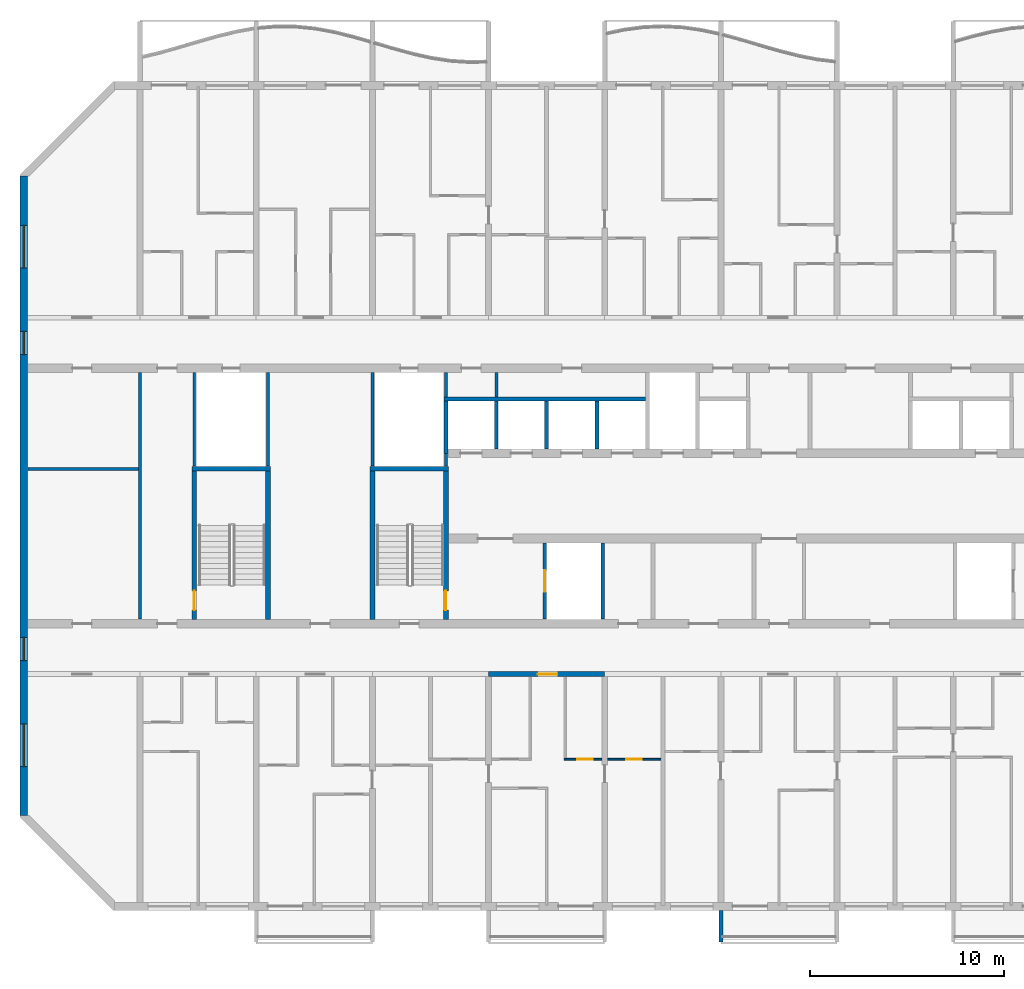
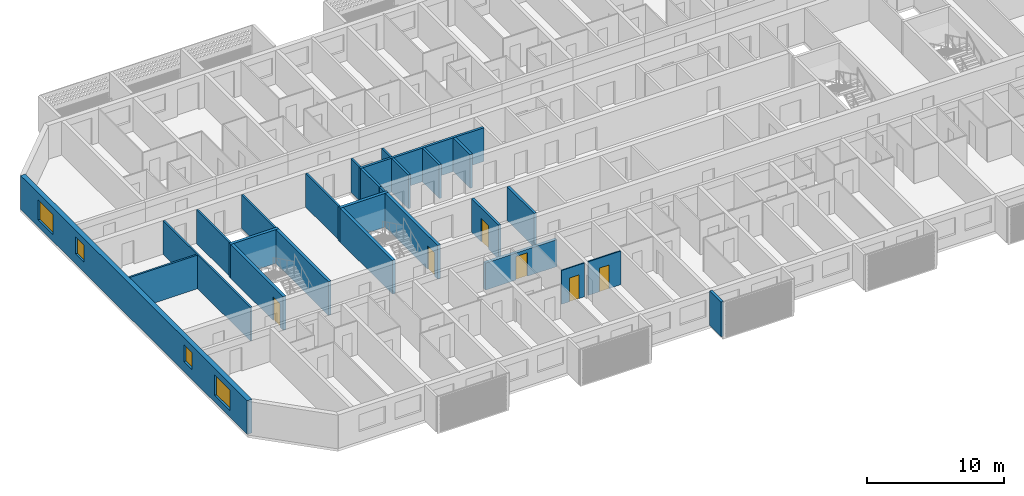
# One storey, part 3 of 32: 26 walls, 6 doors, 4 windows, 10 openings.
"""IFC4 building model written with IfcOpenShell, lengths in metres."""

from ifc_helpers import new_model, si_unit, direction, frame, frame_2d, origin, place, context, subcontext, project, spatial, polyline, rectangle, outline, extrude, source, transform, mapped, material, layer, layer_set, type_object, element, fill, save


model = new_model("IFC4")

# Units and contexts
model_context = context("Model", 3, precision=1e-05, world=origin(), true_north=direction((0.0, 1.0)))
body_context = subcontext(model_context, "Body", "Model", "MODEL_VIEW")
ifc_project = project(units=[si_unit("LENGTHUNIT", "METRE"), si_unit("AREAUNIT", "SQUARE_METRE"), si_unit("VOLUMEUNIT", "CUBIC_METRE"), si_unit("PLANEANGLEUNIT", "RADIAN"), si_unit("MASSUNIT", "GRAM", prefix="KILO")], contexts=[model_context])

# Site, building, storey
site_placement = place(None, origin())
site = spatial("IfcSite", under=ifc_project, at=site_placement, CompositionType="ELEMENT")
building_placement = place(site_placement, origin())
building = spatial("IfcBuilding", under=site, at=building_placement, Name="Poui Terraces", CompositionType="ELEMENT")
storey_placement = place(building_placement, frame((0.0, 0.0, 155.39990234375)))
storey = spatial("IfcBuildingStorey", under=building, at=storey_placement, Name="L43", CompositionType="ELEMENT", Elevation=155.39990234375)

# Wall
ifc_material_1 = material(Name="Fire-rated plasterboard wall")
ifc_layer_1 = layer(ifc_material_1, 0.14990234375)
ifc_layer_set_1 = layer_set([ifc_layer_1], Name="Fire-rated plasterboard wall")
wall_type_1 = type_object("IfcWallType", Name="CORRIDOR WALL 150", PredefinedType="PARTITIONING", material=ifc_layer_set_1)
wall_1_placement = place(storey_placement, frame((18.0, 14.8349609375, 0.0), z_axis=(0.0, 0.0, 1.0), x_axis=(0.0, 1.0, 0.0)))
element("IfcWall", 1, at=wall_1_placement, inside=storey, type_object=wall_type_1, Name="CORRIDOR WALL 150", PredefinedType="PARTITIONING", context=body_context, shape_type="SweptSolid", body=[
    extrude(rectangle(XDim=12.72998046875, YDim=0.14990234375, at=frame_2d((6.364990234375, 0.0))), origin(), (0.0, 0.0, 1.0), 3.0),
])

# Wall, opening, door
ifc_material_2 = material(Name="Concrete 65 MPa", Category="concrete")
ifc_layer_2 = layer(ifc_material_2, 0.25)
ifc_layer_set_2 = layer_set([ifc_layer_2], Name="Concrete 65 MPa")
wall_type_2 = type_object("IfcWallType", Name="CORRIDOR WALL 250 65MPa", PredefinedType="SHEAR", material=ifc_layer_set_2)
wall_2_placement = place(storey_placement, frame((36.0, 12.0, 0.0), z_axis=(0.0, 0.0, 1.0), x_axis=(1.0, 0.0, 0.0)))
wall_2 = element("IfcWall", 2, at=wall_2_placement, inside=storey, type_object=wall_type_2, Name="CORRIDOR WALL LINE B BAY 5", PredefinedType="SHEAR", context=body_context, shape_type="SweptSolid", body=[
    extrude(rectangle(XDim=6.0, YDim=0.25, at=frame_2d((3.0, 0.0))), origin(), (0.0, 0.0, 1.0), 2.400146484375),
])
opening_1_placement = place(wall_2_placement, frame((2.550048828125, 0.0, 0.0)))
opening_1 = element("IfcOpeningElement", 3, at=opening_1_placement, cuts=wall_2, Name="Opening FD30S", PredefinedType="OPENING", context=body_context, shape_type="SweptSolid", body=[
    extrude(rectangle(XDim=1.0, YDim=2.10009765625, at=frame_2d((0.5, 1.050048828125))), frame((0.0, 0.135009765625, 0.0), z_axis=(0.0, -1.0, 0.0), x_axis=(1.0, 0.0, 0.0)), (0.0, 0.0, 1.0), 0.27001953125),
])
ifc_material_3 = material(Name="Steel fire door", Category="steel")
door_type_1 = type_object("IfcDoorType", Name="FLAT ENTRANCE DOOR 1000 X 2100", OperationType="NOTDEFINED", PredefinedType="DOOR", material=ifc_material_3)
door_1_placement = place(opening_1_placement, frame((1.0, 0.0, 0.0), z_axis=(0.0, 0.0, 1.0), x_axis=(-1.0, 0.0, 0.0)))
door_1 = element("IfcDoor", 4, at=door_1_placement, inside=storey, type_object=door_type_1, Name="FLAT ENTRANCE DOOR 090", OperationType="SINGLE_SWING_LEFT", OverallHeight=2.10009765625, OverallWidth=1.0, PredefinedType="DOOR", context=body_context, shape_type="SweptSolid", body=[
    extrude(rectangle(XDim=1.0, YDim=2.10009765625, at=frame_2d((0.5, 1.050048828125))), frame((0.0, 0.02490234375, 0.0), z_axis=(0.0, -1.0, 0.0), x_axis=(1.0, 0.0, 0.0)), (0.0, 0.0, 1.0), 0.050048828125),
])
fill(opening_1, door_1)

# Wall, openings, windows
ifc_layer_3 = layer(ifc_material_2, 0.39990234375)
ifc_layer_set_3 = layer_set([ifc_layer_3], Name="Concrete 65 MPa")
wall_type_3 = type_object("IfcWallType", Name="END WALL 400 65MPa", PredefinedType="SHEAR", material=ifc_layer_set_3)
wall_3_placement = place(storey_placement, frame((12.0, 4.682861328125, 0.0), z_axis=(0.0, 0.0, 1.0), x_axis=(0.0, 1.0, 0.0)))
wall_3 = element("IfcWall", 5, at=wall_3_placement, inside=storey, type_object=wall_type_3, Name="END WALL WEST", PredefinedType="SHEAR", context=body_context, shape_type="SweptSolid", body=[
    extrude(rectangle(XDim=33.034423828125, YDim=0.39990234375, at=frame_2d((16.51708984375, 0.0))), origin(), (0.0, 0.0, 1.0), 3.0),
])
opening_2_placement = place(wall_3_placement, frame((23.817138671875, 0.0, 0.89990234375)))
opening_2 = element("IfcOpeningElement", 6, at=opening_2_placement, cuts=wall_3, Name="Opening W2", PredefinedType="OPENING", context=body_context, shape_type="SweptSolid", body=[
    extrude(rectangle(XDim=1.199951171875, YDim=1.5, at=frame_2d((0.60009765625, 0.75))), frame((0.0, 0.2099609375, 0.0), z_axis=(0.0, -1.0, 0.0), x_axis=(1.0, 0.0, 0.0)), (0.0, 0.0, 1.0), 0.419921875),
])
opening_3_placement = place(wall_3_placement, frame((8.01708984375, 0.0, 0.89990234375)))
opening_3 = element("IfcOpeningElement", 7, at=opening_3_placement, cuts=wall_3, Name="Opening W2", PredefinedType="OPENING", context=body_context, shape_type="SweptSolid", body=[
    extrude(rectangle(XDim=1.199951171875, YDim=1.5, at=frame_2d((0.60009765625, 0.75))), frame((0.0, 0.2099609375, 0.0), z_axis=(0.0, -1.0, 0.0), x_axis=(1.0, 0.0, 0.0)), (0.0, 0.0, 1.0), 0.419921875),
])
opening_4_placement = place(wall_3_placement, frame((28.29345703125, 0.0, 0.60009765625)))
opening_4 = element("IfcOpeningElement", 8, at=opening_4_placement, cuts=wall_3, Name="Opening W3", PredefinedType="OPENING", context=body_context, shape_type="SweptSolid", body=[
    extrude(rectangle(XDim=2.199951171875, YDim=1.800048828125, at=frame_2d((1.10009765625, 0.89990234375))), frame((0.0, 0.2099609375, 0.0), z_axis=(0.0, -1.0, 0.0), x_axis=(1.0, 0.0, 0.0)), (0.0, 0.0, 1.0), 0.419921875),
])
opening_5_placement = place(wall_3_placement, frame((2.541015625, 0.0, 0.60009765625)))
opening_5 = element("IfcOpeningElement", 9, at=opening_5_placement, cuts=wall_3, Name="Opening W3", PredefinedType="OPENING", context=body_context, shape_type="SweptSolid", body=[
    extrude(rectangle(XDim=2.199951171875, YDim=1.800048828125, at=frame_2d((1.10009765625, 0.89990234375))), frame((0.0, 0.2099609375, 0.0), z_axis=(0.0, -1.0, 0.0), x_axis=(1.0, 0.0, 0.0)), (0.0, 0.0, 1.0), 0.419921875),
])
ifc_material_4 = material(Name="Clear glass in aluminium frame", Category="aluminium")
window_type_1 = type_object("IfcWindowType", Name="WINDOW 1200X1500", PartitioningType="SINGLE_PANEL", PredefinedType="WINDOW", material=ifc_material_4)
window_1_placement = place(opening_2_placement, origin())
window_1 = element("IfcWindow", 10, at=window_1_placement, inside=storey, type_object=window_type_1, Name="W2 WINDOW", OverallHeight=1.5, OverallWidth=1.199951171875, PartitioningType="SINGLE_PANEL", PredefinedType="WINDOW", context=body_context, shape_type="SweptSolid", body=[
    extrude(rectangle(XDim=1.199951171875, YDim=1.5, at=frame_2d((0.60009765625, 0.75))), frame((0.0, 0.030029296875, 0.0), z_axis=(0.0, -1.0, 0.0), x_axis=(1.0, 0.0, 0.0)), (0.0, 0.0, 1.0), 0.06005859375),
])
fill(opening_2, window_1)
window_2_placement = place(opening_3_placement, origin())
window_2 = element("IfcWindow", 11, at=window_2_placement, inside=storey, type_object=window_type_1, Name="W2 WINDOW", OverallHeight=1.5, OverallWidth=1.199951171875, PartitioningType="SINGLE_PANEL", PredefinedType="WINDOW", context=body_context, shape_type="SweptSolid", body=[
    extrude(rectangle(XDim=1.199951171875, YDim=1.5, at=frame_2d((0.60009765625, 0.75))), frame((0.0, 0.030029296875, 0.0), z_axis=(0.0, -1.0, 0.0), x_axis=(1.0, 0.0, 0.0)), (0.0, 0.0, 1.0), 0.06005859375),
])
fill(opening_3, window_2)
window_type_2 = type_object("IfcWindowType", Name="WINDOW 2200X1800", PartitioningType="DOUBLE_PANEL_HORIZONTAL", PredefinedType="WINDOW", material=ifc_material_4)
window_3_placement = place(opening_4_placement, origin())
window_3 = element("IfcWindow", 12, at=window_3_placement, inside=storey, type_object=window_type_2, Name="W3 WINDOW", OverallHeight=1.800048828125, OverallWidth=2.199951171875, PartitioningType="DOUBLE_PANEL_HORIZONTAL", PredefinedType="WINDOW", context=body_context, shape_type="SweptSolid", body=[
    extrude(rectangle(XDim=2.199951171875, YDim=1.800048828125, at=frame_2d((1.10009765625, 0.89990234375))), frame((0.0, 0.030029296875, 0.0), z_axis=(0.0, -1.0, 0.0), x_axis=(1.0, 0.0, 0.0)), (0.0, 0.0, 1.0), 0.06005859375),
])
fill(opening_4, window_3)
window_4_placement = place(opening_5_placement, origin())
window_4 = element("IfcWindow", 13, at=window_4_placement, inside=storey, type_object=window_type_2, Name="W3 WINDOW", OverallHeight=1.800048828125, OverallWidth=2.199951171875, PartitioningType="DOUBLE_PANEL_HORIZONTAL", PredefinedType="WINDOW", context=body_context, shape_type="SweptSolid", body=[
    extrude(rectangle(XDim=2.199951171875, YDim=1.800048828125, at=frame_2d((1.10009765625, 0.89990234375))), frame((0.0, 0.030029296875, 0.0), z_axis=(0.0, -1.0, 0.0), x_axis=(1.0, 0.0, 0.0)), (0.0, 0.0, 1.0), 0.06005859375),
])
fill(opening_5, window_4)

# Wall, opening, door
ifc_material_5 = material(Name="Plasterboard partition")
ifc_layer_4 = layer(ifc_material_5, 0.10009765625)
ifc_layer_set_4 = layer_set([ifc_layer_4], Name="Plasterboard partition")
wall_type_4 = type_object("IfcWallType", Name="FLAT PARTITION 100", PredefinedType="PARTITIONING", material=ifc_layer_set_4)
wall_4_placement = place(storey_placement, frame((39.89990234375, 7.60009765625, 0.0), z_axis=(0.0, 0.0, 1.0), x_axis=(1.0, 0.0, 0.0)))
wall_4 = element("IfcWall", 14, at=wall_4_placement, inside=storey, type_object=wall_type_4, Name="FLAT PARTITION 100", PredefinedType="PARTITIONING", context=body_context, shape_type="SweptSolid", body=[
    extrude(rectangle(XDim=1.940185546875, YDim=0.10009765625, at=frame_2d((0.97021484375, 0.0))), origin(), (0.0, 0.0, 1.0), 3.0),
])
opening_6_placement = place(wall_4_placement, frame((0.675048828125, 0.0, 0.0)))
opening_6 = element("IfcOpeningElement", 15, at=opening_6_placement, cuts=wall_4, Name="Opening D80", PredefinedType="OPENING", context=body_context, shape_type="SweptSolid", body=[
    extrude(rectangle(XDim=0.800048828125, YDim=2.10009765625, at=frame_2d((0.39990234375, 1.050048828125))), frame((0.0, 0.06005859375, 0.0), z_axis=(0.0, -1.0, 0.0), x_axis=(1.0, 0.0, 0.0)), (0.0, 0.0, 1.0), 0.1201171875),
])
ifc_material_6 = material(Name="Solid core timber door", Category="wood")
door_type_2 = type_object("IfcDoorType", Name="BATHROOM, LAUNDRY AND STORE DOOR 800 X 2100", OperationType="NOTDEFINED", PredefinedType="DOOR", material=ifc_material_6)
door_2_placement = place(opening_6_placement, origin())
door_2 = element("IfcDoor", 16, at=door_2_placement, inside=storey, type_object=door_type_2, Name="BATHROOM, LAUNDRY AND STORE DOOR 091", OperationType="SINGLE_SWING_LEFT", OverallHeight=2.10009765625, OverallWidth=0.800048828125, PredefinedType="DOOR", context=body_context, shape_type="SweptSolid", body=[
    extrude(rectangle(XDim=0.800048828125, YDim=2.10009765625, at=frame_2d((0.39990234375, 1.050048828125))), frame((0.0, 0.02490234375, 0.0), z_axis=(0.0, -1.0, 0.0), x_axis=(1.0, 0.0, 0.0)), (0.0, 0.0, 1.0), 0.050048828125),
])
fill(opening_6, door_2)

wall_5_placement = place(storey_placement, frame((42.159912109375, 7.60009765625, 0.0), z_axis=(0.0, 0.0, 1.0), x_axis=(1.0, 0.0, 0.0)))
wall_5 = element("IfcWall", 17, at=wall_5_placement, inside=storey, type_object=wall_type_4, Name="FLAT PARTITION 100", PredefinedType="PARTITIONING", context=body_context, shape_type="SweptSolid", body=[
    extrude(rectangle(XDim=2.739990234375, YDim=0.10009765625, at=frame_2d((1.3701171875, 0.0))), origin(), (0.0, 0.0, 1.0), 3.0),
])
opening_7_placement = place(wall_5_placement, frame((0.93994140625, 0.0, 0.0)))
opening_7 = element("IfcOpeningElement", 18, at=opening_7_placement, cuts=wall_5, Name="Opening D80", PredefinedType="OPENING", context=body_context, shape_type="SweptSolid", body=[
    extrude(rectangle(XDim=0.800048828125, YDim=2.10009765625, at=frame_2d((0.39990234375, 1.050048828125))), frame((0.0, 0.06005859375, 0.0), z_axis=(0.0, -1.0, 0.0), x_axis=(1.0, 0.0, 0.0)), (0.0, 0.0, 1.0), 0.1201171875),
])
door_3_placement = place(opening_7_placement, origin())
door_3 = element("IfcDoor", 19, at=door_3_placement, inside=storey, type_object=door_type_2, Name="BATHROOM, LAUNDRY AND STORE DOOR 086", OperationType="SINGLE_SWING_RIGHT", OverallHeight=2.10009765625, OverallWidth=0.800048828125, PredefinedType="DOOR", context=body_context, shape_type="SweptSolid", body=[
    extrude(rectangle(XDim=0.800048828125, YDim=2.10009765625, at=frame_2d((0.39990234375, 1.050048828125))), frame((0.0, 0.02490234375, 0.0), z_axis=(0.0, -1.0, 0.0), x_axis=(1.0, 0.0, 0.0)), (0.0, 0.0, 1.0), 0.050048828125),
])
fill(opening_7, door_3)

# Walls
ifc_layer_5 = layer(ifc_material_5, 0.14990234375)
ifc_layer_set_5 = layer_set([ifc_layer_5], Name="Plasterboard partition")
wall_type_5 = type_object("IfcWallType", Name="PARTITION WALL 150", PredefinedType="PARTITIONING", material=ifc_layer_set_5)
wall_6_placement = place(storey_placement, frame((12.2099609375, 22.60009765625, 0.0), z_axis=(0.0, 0.0, 1.0), x_axis=(1.0, 0.0, 0.0)))
element("IfcWall", 20, at=wall_6_placement, inside=storey, type_object=wall_type_5, Name="PARTITION WALL 150", PredefinedType="PARTITIONING", context=body_context, shape_type="SweptSolid", body=[
    extrude(rectangle(XDim=5.715087890625, YDim=0.14990234375, at=frame_2d((2.857421875, 0.0))), origin(), (0.0, 0.0, 1.0), 3.0),
])
wall_7_placement = place(storey_placement, frame((36.39990234375, 26.300048828125, 0.0), z_axis=(0.0, 0.0, 1.0), x_axis=(0.0, 1.0, 0.0)))
element("IfcWall", 21, at=wall_7_placement, inside=storey, type_object=wall_type_5, Name="PARTITION WALL 150", PredefinedType="PARTITIONING", context=body_context, shape_type="SweptSolid", body=[
    extrude(rectangle(XDim=1.264892578125, YDim=0.14990234375, at=frame_2d((0.63232421875, 0.0))), origin(), (0.0, 0.0, 1.0), 3.0),
])
ifc_material_7 = material(Name="Fire-rated plasterboard riser wall")
ifc_layer_6 = layer(ifc_material_7, 0.14990234375)
ifc_layer_set_6 = layer_set([ifc_layer_6], Name="Fire-rated plasterboard riser wall")
wall_type_6 = type_object("IfcWallType", Name="RISER WALL 150", PredefinedType="PARTITIONING", material=ifc_layer_set_6)
for number, where, z_axis, x_axis, name in (
    (22, (20.800048828125, 22.735107421875, 0.0), (0.0, 0.0, 1.0), (0.0, 1.0, 0.0), "RISER WALL 150"),
    (23, (24.60009765625, 22.735107421875, 0.0), (0.0, 0.0, 1.0), (0.0, 1.0, 0.0), "RISER WALL 150"),
    (24, (30.0, 22.735107421875, 0.0), (0.0, 0.0, 1.0), (0.0, 1.0, 0.0), "RISER WALL 150"),
):
    element("IfcWall", number, at=place(storey_placement, frame(where, z_axis=z_axis, x_axis=x_axis)), inside=storey, type_object=wall_type_6, Name=name, PredefinedType="PARTITIONING", context=body_context, shape_type="SweptSolid", body=[
        extrude(rectangle(XDim=4.829833984375, YDim=0.14990234375, at=frame_2d((2.4150390625, 0.0))), origin(), (0.0, 0.0, 1.0), 3.0),
    ])
wall_8_placement = place(storey_placement, frame((33.800048828125, 22.735107421875, 0.0), z_axis=(0.0, 0.0, 1.0), x_axis=(0.0, 1.0, 0.0)))
element("IfcWall", 25, at=wall_8_placement, inside=storey, type_object=wall_type_6, Name="RISER WALL 150", PredefinedType="PARTITIONING", context=body_context, shape_type="SweptSolid", body=[
    extrude(rectangle(XDim=0.664794921875, YDim=0.14990234375, at=frame_2d((0.33251953125, 0.0))), origin(), (0.0, 0.0, 1.0), 3.0),
])
wall_9_placement = place(storey_placement, frame((33.800048828125, 26.300048828125, 0.0), z_axis=(0.0, 0.0, 1.0), x_axis=(0.0, 1.0, 0.0)))
element("IfcWall", 26, at=wall_9_placement, inside=storey, type_object=wall_type_6, Name="RISER WALL 150", PredefinedType="PARTITIONING", context=body_context, shape_type="SweptSolid", body=[
    extrude(rectangle(XDim=1.264892578125, YDim=0.14990234375, at=frame_2d((0.63232421875, 0.0))), origin(), (0.0, 0.0, 1.0), 3.0),
])
ifc_material_8 = material(Name="Fire-rated masonry shaft wall", Category="masonry")
ifc_layer_7 = layer(ifc_material_8, 0.199951171875)
ifc_layer_set_7 = layer_set([ifc_layer_7], Name="Fire-rated masonry shaft wall")
wall_type_7 = type_object("IfcWallType", Name="SHAFT WALL 200", PredefinedType="PARTITIONING", material=ifc_layer_set_7)
wall_10_placement = place(storey_placement, frame((33.699951171875, 26.199951171875, 0.0), z_axis=(0.0, 0.0, 1.0), x_axis=(1.0, 0.0, 0.0)))
element("IfcWall", 27, at=wall_10_placement, inside=storey, type_object=wall_type_7, Name="SHAFT WALL 200", PredefinedType="PARTITIONING", context=body_context, shape_type="SweptSolid", body=[
    extrude(rectangle(XDim=10.400146484375, YDim=0.199951171875, at=frame_2d((5.2001953125, 0.0))), origin(), (0.0, 0.0, 1.0), 3.0),
])
wall_11_placement = place(storey_placement, frame((33.800048828125, 23.39990234375, 0.0), z_axis=(0.0, 0.0, 1.0), x_axis=(0.0, 1.0, 0.0)))
element("IfcWall", 28, at=wall_11_placement, inside=storey, type_object=wall_type_7, Name="SHAFT WALL 200", PredefinedType="PARTITIONING", context=body_context, shape_type="SweptSolid", body=[
    extrude(rectangle(XDim=2.7001953125, YDim=0.199951171875, at=frame_2d((1.35009765625, 0.0))), origin(), (0.0, 0.0, 1.0), 3.0),
])
wall_12_placement = place(storey_placement, frame((36.39990234375, 23.635009765625, 0.0), z_axis=(0.0, 0.0, 1.0), x_axis=(0.0, 1.0, 0.0)))
element("IfcWall", 29, at=wall_12_placement, inside=storey, type_object=wall_type_7, Name="SHAFT WALL 200", PredefinedType="PARTITIONING", context=body_context, shape_type="SweptSolid", body=[
    extrude(rectangle(XDim=2.465087890625, YDim=0.199951171875, at=frame_2d((1.232421875, 0.0))), origin(), (0.0, 0.0, 1.0), 3.0),
])

# Wall, opening, door
wall_13_placement = place(storey_placement, frame((38.89990234375, 14.8349609375, 0.0), z_axis=(0.0, 0.0, 1.0), x_axis=(0.0, 1.0, 0.0)))
wall_13 = element("IfcWall", 30, at=wall_13_placement, inside=storey, type_object=wall_type_7, Name="SHAFT WALL 200", PredefinedType="PARTITIONING", context=body_context, shape_type="SweptSolid", body=[
    extrude(rectangle(XDim=3.929931640625, YDim=0.199951171875, at=frame_2d((1.96484375, 0.0))), origin(), (0.0, 0.0, 1.0), 3.0),
])
opening_8_placement = place(wall_13_placement, frame((1.4150390625, 0.0, 0.0)))
opening_8 = element("IfcOpeningElement", 31, at=opening_8_placement, cuts=wall_13, Name="Opening LD", PredefinedType="OPENING", context=body_context, shape_type="SweptSolid", body=[
    extrude(rectangle(XDim=1.10009765625, YDim=2.10009765625, at=frame_2d((0.550048828125, 1.050048828125))), frame((0.0, 0.10986328125, 0.0), z_axis=(0.0, -1.0, 0.0), x_axis=(1.0, 0.0, 0.0)), (0.0, 0.0, 1.0), 0.219970703125),
])
ifc_material_9 = material(Name="Stainless steel sliding door", Category="steel")
door_type_3 = type_object("IfcDoorType", Name="LIFT LANDING DOOR 1100 X 2100", OperationType="DOUBLE_DOOR_SLIDING", PredefinedType="DOOR", material=ifc_material_9)
door_4_placement = place(opening_8_placement, origin())
door_4 = element("IfcDoor", 32, at=door_4_placement, inside=storey, type_object=door_type_3, Name="LANDING DOOR", OperationType="DOUBLE_DOOR_SLIDING", OverallHeight=2.10009765625, OverallWidth=1.10009765625, PredefinedType="DOOR", context=body_context, shape_type="SweptSolid", body=[
    extrude(rectangle(XDim=1.10009765625, YDim=2.10009765625, at=frame_2d((0.550048828125, 1.050048828125))), frame((0.0, 0.02490234375, 0.0), z_axis=(0.0, -1.0, 0.0), x_axis=(1.0, 0.0, 0.0)), (0.0, 0.0, 1.0), 0.050048828125),
])
fill(opening_8, door_4)

# Walls
for number, where, z_axis, x_axis, name in (
    (33, (39.0, 23.635009765625, 0.0), (0.0, 0.0, 1.0), (0.0, 1.0, 0.0), "SHAFT WALL 200"),
    (34, (41.60009765625, 23.635009765625, 0.0), (0.0, 0.0, 1.0), (0.0, 1.0, 0.0), "SHAFT WALL 200"),
):
    element("IfcWall", number, at=place(storey_placement, frame(where, z_axis=z_axis, x_axis=x_axis)), inside=storey, type_object=wall_type_7, Name=name, PredefinedType="PARTITIONING", context=body_context, shape_type="SweptSolid", body=[
        extrude(rectangle(XDim=2.465087890625, YDim=0.199951171875, at=frame_2d((1.232421875, 0.0))), origin(), (0.0, 0.0, 1.0), 3.0),
    ])
wall_14_placement = place(storey_placement, frame((41.89990234375, 14.8349609375, 0.0), z_axis=(0.0, 0.0, 1.0), x_axis=(0.0, 1.0, 0.0)))
element("IfcWall", 35, at=wall_14_placement, inside=storey, type_object=wall_type_7, Name="SHAFT WALL 200", PredefinedType="PARTITIONING", context=body_context, shape_type="SweptSolid", body=[
    extrude(rectangle(XDim=3.929931640625, YDim=0.199951171875, at=frame_2d((1.96484375, 0.0))), origin(), (0.0, 0.0, 1.0), 3.0),
])
ifc_layer_8 = layer(ifc_material_2, 0.25)
ifc_layer_set_8 = layer_set([ifc_layer_8], Name="Concrete 65 MPa")
wall_type_8 = type_object("IfcWallType", Name="STAIR CORE WALL 250 65 MPA", PredefinedType="SOLIDWALL", material=ifc_layer_set_8)
wall_15_placement = place(storey_placement, frame((30.0, 14.824951171875, 0.0), z_axis=(0.0, 0.0, 1.0), x_axis=(0.0, 1.0, 0.0)))
element("IfcWall", 36, at=wall_15_placement, inside=storey, type_object=wall_type_8, Name="STAIR CORE WALL", PredefinedType="SOLIDWALL", context=body_context, shape_type="SweptSolid", body=[
    extrude(rectangle(XDim=7.650146484375, YDim=0.25, at=frame_2d((3.8251953125, 0.0))), origin(), (0.0, 0.0, 1.0), 3.0),
])

# Wall, opening, door
wall_16_placement = place(storey_placement, frame((33.800048828125, 14.824951171875, 0.0), z_axis=(0.0, 0.0, 1.0), x_axis=(0.0, 1.0, 0.0)))
wall_16 = element("IfcWall", 37, at=wall_16_placement, inside=storey, type_object=wall_type_8, Name="STAIR CORE WALL", PredefinedType="SOLIDWALL", context=body_context, shape_type="SweptSolid", body=[
    extrude(rectangle(XDim=7.650146484375, YDim=0.25, at=frame_2d((3.8251953125, 0.0))), origin(), (0.0, 0.0, 1.0), 3.0),
])
opening_9_placement = place(wall_16_placement, frame((0.47509765625, 0.0, 0.0)))
opening_9 = element("IfcOpeningElement", 38, at=opening_9_placement, cuts=wall_16, Name="Opening FD60S", PredefinedType="OPENING", context=body_context, shape_type="SweptSolid", body=[
    extrude(rectangle(XDim=1.0, YDim=2.10009765625, at=frame_2d((0.5, 1.050048828125))), frame((0.0, 0.135009765625, 0.0), z_axis=(0.0, -1.0, 0.0), x_axis=(1.0, 0.0, 0.0)), (0.0, 0.0, 1.0), 0.27001953125),
])
door_type_4 = type_object("IfcDoorType", Name="STAIR DOOR 1000 X 2100", OperationType="NOTDEFINED", PredefinedType="DOOR", material=ifc_material_3)
door_5_placement = place(opening_9_placement, origin())
door_5 = element("IfcDoor", 39, at=door_5_placement, inside=storey, type_object=door_type_4, Name="STAIR DOOR 121", OperationType="SINGLE_SWING_LEFT", OverallHeight=2.10009765625, OverallWidth=1.0, PredefinedType="DOOR", context=body_context, shape_type="SweptSolid", body=[
    extrude(rectangle(XDim=1.0, YDim=2.10009765625, at=frame_2d((0.5, 1.050048828125))), frame((0.0, 0.02490234375, 0.0), z_axis=(0.0, -1.0, 0.0), x_axis=(1.0, 0.0, 0.0)), (0.0, 0.0, 1.0), 0.050048828125),
])
fill(opening_9, door_5)

# Wall
wall_17_placement = place(storey_placement, frame((29.875, 22.60009765625, 0.0), z_axis=(0.0, 0.0, 1.0), x_axis=(1.0, 0.0, 0.0)))
element("IfcWall", 40, at=wall_17_placement, inside=storey, type_object=wall_type_8, Name="STAIR CORE WALL", PredefinedType="SOLIDWALL", context=body_context, shape_type="SweptSolid", body=[
    extrude(rectangle(XDim=4.050048828125, YDim=0.25, at=frame_2d((2.02490234375, 0.0))), origin(), (0.0, 0.0, 1.0), 3.0),
])

# Wall, opening, door
wall_18_placement = place(storey_placement, frame((20.800048828125, 14.824951171875, 0.0), z_axis=(0.0, 0.0, 1.0), x_axis=(0.0, 1.0, 0.0)))
wall_18 = element("IfcWall", 41, at=wall_18_placement, inside=storey, type_object=wall_type_8, Name="STAIR CORE WALL", PredefinedType="SOLIDWALL", context=body_context, shape_type="SweptSolid", body=[
    extrude(rectangle(XDim=7.650146484375, YDim=0.25, at=frame_2d((3.8251953125, 0.0))), origin(), (0.0, 0.0, 1.0), 3.0),
])
opening_10_placement = place(wall_18_placement, frame((0.47509765625, 0.0, 0.0)))
opening_10 = element("IfcOpeningElement", 42, at=opening_10_placement, cuts=wall_18, Name="Opening FD60S", PredefinedType="OPENING", context=body_context, shape_type="SweptSolid", body=[
    extrude(rectangle(XDim=1.0, YDim=2.10009765625, at=frame_2d((0.5, 1.050048828125))), frame((0.0, 0.135009765625, 0.0), z_axis=(0.0, -1.0, 0.0), x_axis=(1.0, 0.0, 0.0)), (0.0, 0.0, 1.0), 0.27001953125),
])
door_6_placement = place(opening_10_placement, frame((1.0, 0.0, 0.0), z_axis=(0.0, 0.0, 1.0), x_axis=(-1.0, 0.0, 0.0)))
door_6 = element("IfcDoor", 43, at=door_6_placement, inside=storey, type_object=door_type_4, Name="STAIR DOOR 135", OperationType="SINGLE_SWING_RIGHT", OverallHeight=2.10009765625, OverallWidth=1.0, PredefinedType="DOOR", context=body_context, shape_type="SweptSolid", body=[
    extrude(rectangle(XDim=1.0, YDim=2.10009765625, at=frame_2d((0.5, 1.050048828125))), frame((0.0, 0.02490234375, 0.0), z_axis=(0.0, -1.0, 0.0), x_axis=(1.0, 0.0, 0.0)), (0.0, 0.0, 1.0), 0.050048828125),
])
fill(opening_10, door_6)

# Walls
wall_19_placement = place(storey_placement, frame((24.60009765625, 14.824951171875, 0.0), z_axis=(0.0, 0.0, 1.0), x_axis=(0.0, 1.0, 0.0)))
element("IfcWall", 44, at=wall_19_placement, inside=storey, type_object=wall_type_8, Name="STAIR CORE WALL", PredefinedType="SOLIDWALL", context=body_context, shape_type="SweptSolid", body=[
    extrude(rectangle(XDim=7.650146484375, YDim=0.25, at=frame_2d((3.8251953125, 0.0))), origin(), (0.0, 0.0, 1.0), 3.0),
])
wall_20_placement = place(storey_placement, frame((20.675048828125, 22.60009765625, 0.0), z_axis=(0.0, 0.0, 1.0), x_axis=(1.0, 0.0, 0.0)))
element("IfcWall", 45, at=wall_20_placement, inside=storey, type_object=wall_type_8, Name="STAIR CORE WALL", PredefinedType="SOLIDWALL", context=body_context, shape_type="SweptSolid", body=[
    extrude(rectangle(XDim=4.050048828125, YDim=0.25, at=frame_2d((2.02490234375, 0.0))), origin(), (0.0, 0.0, 1.0), 3.0),
])
ifc_material_10 = material(Name="Precast concrete 40 MPa", Category="concrete")
ifc_layer_9 = layer(ifc_material_10, 0.199951171875)
ifc_layer_set_9 = layer_set([ifc_layer_9], Name="Precast concrete 40 MPa")
wall_type_9 = type_object("IfcWallType", Name="REAR FIN 200", PredefinedType="STANDARD", material=ifc_layer_set_9)
shared_shape = source(origin(), body_context, "Body", "SweptSolid", [
    extrude(outline(polyline([(0.0, 0.0), (0.2001953125, 0.0), (0.2001953125, 1.650146484375), (0.0, 1.650146484375), (0.0, 0.0)])), origin(), (0.0, 0.0, 1.0), 3.10009765625),
])
wall_21_placement = place(storey_placement, frame((47.89990234375, -1.85009765625, 0.0)))
element("IfcWall", 46, at=wall_21_placement, inside=storey, type_object=wall_type_9, Name="REAR FIN", PredefinedType="STANDARD", context=body_context, shape_type="MappedRepresentation", body=[
    mapped(shared_shape, transform((0.0, 0.0, 0.0))),
])

save(model, "model.ifc")
